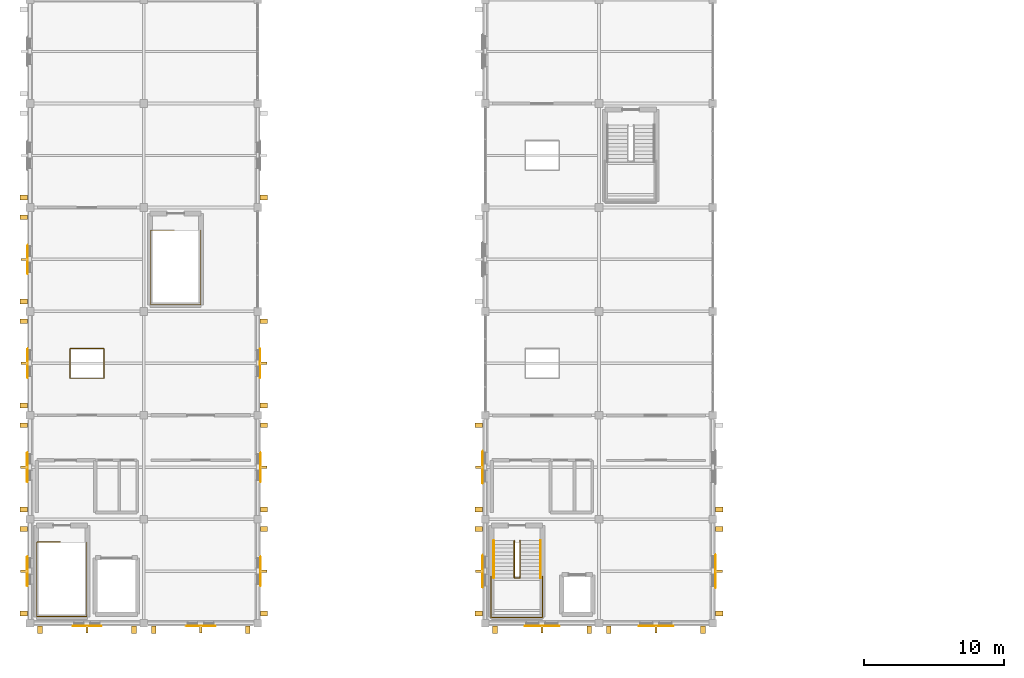
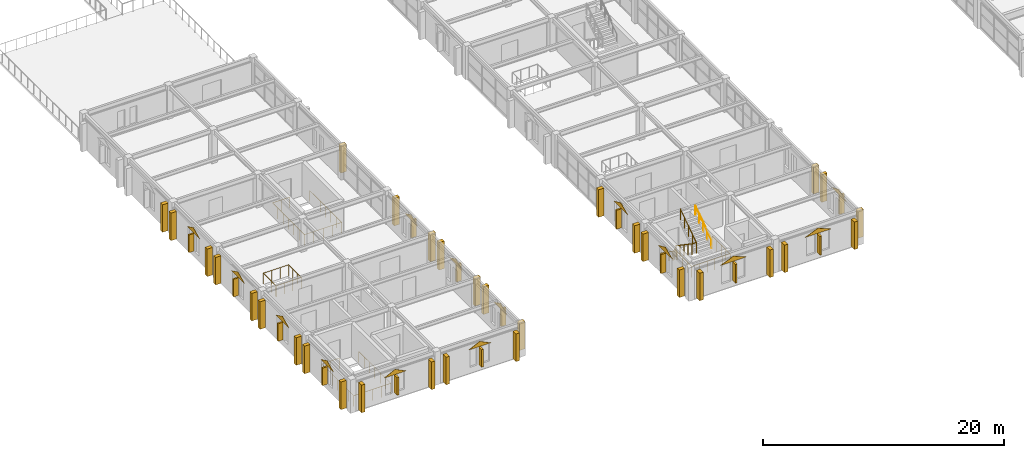
# One storey, part 87 of 93: 45 shading devices, 14 coverings, 7 railings.
"""IFC4 building model written with IfcOpenShell, lengths in metres."""

from ifc_helpers import new_model, si_unit, direction, frame, origin, origin_2d, place, context, subcontext, project, spatial, polyline, rectangle, circle, outline, extrude, material, layer, layer_set, type_object, element, save


model = new_model("IFC4")

# Units and contexts
model_context = context("Model", 3, precision=1e-05, world=origin(), true_north=direction((0.0, 1.0)))
body_context = subcontext(model_context, "Body", "Model", "MODEL_VIEW")
ifc_project = project(units=[si_unit("LENGTHUNIT", "METRE"), si_unit("AREAUNIT", "SQUARE_METRE"), si_unit("VOLUMEUNIT", "CUBIC_METRE"), si_unit("PLANEANGLEUNIT", "RADIAN"), si_unit("MASSUNIT", "GRAM", prefix="KILO")], contexts=[model_context])

# Site, building, storey
site_placement = place(None, origin())
site = spatial("IfcSite", under=ifc_project, at=site_placement, CompositionType="ELEMENT")
building_placement = place(site_placement, origin())
building = spatial("IfcBuilding", under=site, at=building_placement, Name="Cimatlan Art Gallery", CompositionType="ELEMENT")
storey_placement = place(building_placement, frame((0.0, 0.0, 13.800048828125)))
storey = spatial("IfcBuildingStorey", under=building, at=storey_placement, Name="L03", CompositionType="ELEMENT", Elevation=13.800048828125)

# Coverings
ifc_material_1 = material(Name="Queretaro cantera limestone ashlar hood-mould", Category="masonry")
ifc_layer = layer(ifc_material_1, 0.0419921875)
ifc_layer_set = layer_set([ifc_layer], Name="Queretaro cantera limestone ashlar hood-mould")
covering_type = type_object("IfcCoveringType", Name="COV-CLAD-CANTERA-42", PredefinedType="CLADDING", material=ifc_layer_set)
covering_1_placement = place(storey_placement, frame((7.110107421875, 23.721923828125, 2.409912109375), z_axis=(0.0, 1.0, 0.0), x_axis=(-1.0, 0.0, 0.0)))
element("IfcCovering", 1, at=covering_1_placement, inside=storey, type_object=covering_type, Name="CLD-058", PredefinedType="CLADDING", context=body_context, shape_type="SweptSolid", body=[
    extrude(outline(polyline([(0.0, 0.0), (2.1201171875, 0.0), (1.06005859375, 0.52001953125), (0.0, 0.0)])), origin(), (0.0, 0.0, -1.0), 0.0419921875),
])
covering_2_placement = place(storey_placement, frame((1.822021484375, 26.5400390625, 2.409912109375), z_axis=(1.0, 0.0, 0.0), x_axis=(0.0, 1.0, 0.0)))
element("IfcCovering", 2, at=covering_2_placement, inside=storey, type_object=covering_type, Name="CLD-059", PredefinedType="CLADDING", context=body_context, shape_type="SweptSolid", body=[
    extrude(outline(polyline([(0.0, 0.0), (2.119873046875, 0.0), (1.06005859375, 0.52001953125), (0.0, 0.0)])), origin(), (0.0, 0.0, -1.0), 0.0419921875),
])
covering_3_placement = place(storey_placement, frame((1.822021484375, 33.93994140625, 2.409912109375), z_axis=(1.0, 0.0, 0.0), x_axis=(0.0, 1.0, 0.0)))
element("IfcCovering", 3, at=covering_3_placement, inside=storey, type_object=covering_type, Name="CLD-060", PredefinedType="CLADDING", context=body_context, shape_type="SweptSolid", body=[
    extrude(outline(polyline([(0.0, 0.0), (2.1201171875, 0.0), (1.06005859375, 0.52001953125), (0.0, 0.0)])), origin(), (0.0, 0.0, -1.0), 0.0419921875),
])
covering_4_placement = place(storey_placement, frame((1.839599609375, 41.340087890625, 2.409912109375), z_axis=(1.0, 0.0, 0.0), x_axis=(0.0, 1.0, 0.0)))
element("IfcCovering", 4, at=covering_4_placement, inside=storey, type_object=covering_type, Name="CLD-061", PredefinedType="CLADDING", context=body_context, shape_type="SweptSolid", body=[
    extrude(outline(polyline([(0.0, 0.0), (2.119873046875, 0.0), (1.059814453125, 0.52001953125), (0.0, 0.0)])), origin(), (0.0, 0.0, -1.0), 0.0419921875),
])
covering_5_placement = place(storey_placement, frame((1.839599609375, 48.739990234375, 2.409912109375), z_axis=(1.0, 0.0, 0.0), x_axis=(0.0, 1.0, 0.0)))
element("IfcCovering", 5, at=covering_5_placement, inside=storey, type_object=covering_type, Name="CLD-062", PredefinedType="CLADDING", context=body_context, shape_type="SweptSolid", body=[
    extrude(outline(polyline([(0.0, 0.0), (2.1201171875, 0.0), (1.06005859375, 0.52001953125), (0.0, 0.0)])), origin(), (0.0, 0.0, -1.0), 0.0419921875),
])
covering_6_placement = place(storey_placement, frame((15.2099609375, 23.721923828125, 2.409912109375), z_axis=(0.0, 1.0, 0.0), x_axis=(-1.0, 0.0, 0.0)))
element("IfcCovering", 6, at=covering_6_placement, inside=storey, type_object=covering_type, Name="CLD-066", PredefinedType="CLADDING", context=body_context, shape_type="SweptSolid", body=[
    extrude(outline(polyline([(0.0, 0.0), (2.119873046875, 0.0), (1.06005859375, 0.52001953125), (0.0, 0.0)])), origin(), (0.0, 0.0, -1.0), 0.0419921875),
])
covering_7_placement = place(storey_placement, frame((18.3779296875, 28.659912109375, 2.409912109375), z_axis=(-1.0, 0.0, 0.0), x_axis=(0.0, -1.0, 0.0)))
element("IfcCovering", 7, at=covering_7_placement, inside=storey, type_object=covering_type, Name="CLD-067", PredefinedType="CLADDING", context=body_context, shape_type="SweptSolid", body=[
    extrude(outline(polyline([(0.0, 0.0), (2.119873046875, 0.0), (1.059814453125, 0.52001953125), (0.0, 0.0)])), origin(), (0.0, 0.0, -1.0), 0.0419921875),
])
covering_8_placement = place(storey_placement, frame((18.3779296875, 36.06005859375, 2.409912109375), z_axis=(-1.0, 0.0, 0.0), x_axis=(0.0, -1.0, 0.0)))
element("IfcCovering", 8, at=covering_8_placement, inside=storey, type_object=covering_type, Name="CLD-068", PredefinedType="CLADDING", context=body_context, shape_type="SweptSolid", body=[
    extrude(outline(polyline([(0.0, 0.0), (2.1201171875, 0.0), (1.06005859375, 0.52001953125), (0.0, 0.0)])), origin(), (0.0, 0.0, -1.0), 0.0419921875),
])
covering_9_placement = place(storey_placement, frame((18.360595703125, 43.4599609375, 2.409912109375), z_axis=(-1.0, 0.0, 0.0), x_axis=(0.0, -1.0, 0.0)))
element("IfcCovering", 9, at=covering_9_placement, inside=storey, type_object=covering_type, Name="CLD-069", PredefinedType="CLADDING", context=body_context, shape_type="SweptSolid", body=[
    extrude(outline(polyline([(0.0, 0.0), (2.119873046875, 0.0), (1.06005859375, 0.52001953125), (0.0, 0.0)])), origin(), (0.0, 0.0, -1.0), 0.0419921875),
])
covering_10_placement = place(storey_placement, frame((39.7099609375, 23.721923828125, 2.530029296875), z_axis=(0.0, 1.0, 0.0), x_axis=(-1.0, 0.0, 0.0)))
element("IfcCovering", 10, at=covering_10_placement, inside=storey, type_object=covering_type, Name="CLD-071", PredefinedType="CLADDING", context=body_context, shape_type="SweptSolid", body=[
    extrude(outline(polyline([(0.0, 0.0), (2.52001953125, 0.0), (1.260009765625, 0.52001953125), (0.0, 0.0)])), origin(), (0.0, 0.0, -1.0), 0.0419921875),
])
covering_11_placement = place(storey_placement, frame((34.221923828125, 26.419921875, 2.550048828125), z_axis=(1.0, 0.0, 0.0), x_axis=(0.0, 1.0, 0.0)))
element("IfcCovering", 11, at=covering_11_placement, inside=storey, type_object=covering_type, Name="CLD-072", PredefinedType="CLADDING", context=body_context, shape_type="SweptSolid", body=[
    extrude(outline(polyline([(0.0, 0.0), (2.360107421875, 0.0), (1.18017578125, 0.52001953125), (0.0, 0.0)])), origin(), (0.0, 0.0, -1.0), 0.0419921875),
])
covering_12_placement = place(storey_placement, frame((34.221923828125, 33.820068359375, 2.550048828125), z_axis=(1.0, 0.0, 0.0), x_axis=(0.0, 1.0, 0.0)))
element("IfcCovering", 12, at=covering_12_placement, inside=storey, type_object=covering_type, Name="CLD-073", PredefinedType="CLADDING", context=body_context, shape_type="SweptSolid", body=[
    extrude(outline(polyline([(0.0, 0.0), (2.35986328125, 0.0), (1.179931640625, 0.52001953125), (0.0, 0.0)])), origin(), (0.0, 0.0, -1.0), 0.0419921875),
])
covering_13_placement = place(storey_placement, frame((47.81005859375, 23.721923828125, 2.530029296875), z_axis=(0.0, 1.0, 0.0), x_axis=(-1.0, 0.0, 0.0)))
element("IfcCovering", 13, at=covering_13_placement, inside=storey, type_object=covering_type, Name="CLD-078", PredefinedType="CLADDING", context=body_context, shape_type="SweptSolid", body=[
    extrude(outline(polyline([(0.0, 0.0), (2.52001953125, 0.0), (1.260009765625, 0.52001953125), (0.0, 0.0)])), origin(), (0.0, 0.0, -1.0), 0.0419921875),
])
covering_14_placement = place(storey_placement, frame((50.778076171875, 28.820068359375, 2.58984375), z_axis=(-1.0, 0.0, 0.0), x_axis=(0.0, -1.0, 0.0)))
element("IfcCovering", 14, at=covering_14_placement, inside=storey, type_object=covering_type, Name="CLD-079", PredefinedType="CLADDING", context=body_context, shape_type="SweptSolid", body=[
    extrude(outline(polyline([(0.0, 0.0), (2.440185546875, 0.0), (1.219970703125, 0.52001953125), (0.0, 0.0)])), origin(), (0.0, 0.0, -1.0), 0.0419921875),
])

# Railings
ifc_material_2 = material(Name="Painted steel and bronze interior balustrade", Category="steel")
railing_type_1 = type_object("IfcRailingType", Name="RL-BAL-INT-1120", PredefinedType="BALUSTRADE", material=ifc_material_2)
railing_1_placement = place(storey_placement, frame((4.14990234375, 29.679931640625, 0.0)))
element("IfcRailing", 15, at=railing_1_placement, inside=storey, type_object=railing_type_1, Name="GR-WELL-TOP-C1", PredefinedType="BALUSTRADE", context=body_context, shape_type="SweptSolid", body=[
    extrude(circle(Radius=0.02392578125, at=origin_2d()), frame((0.0, 0.0, 1.09619140625), z_axis=(-1.0, 0.0, 0.0), x_axis=(0.0, -1.0, 0.0)), (0.0, 0.0, 1.0), 1.669921875),
    extrude(circle(Radius=0.02392578125, at=origin_2d()), frame((-1.669921875, 0.0, 1.09619140625), z_axis=(0.0, -1.0, 0.0), x_axis=(1.0, 0.0, 0.0)), (0.0, 0.0, 1.0), 5.300048828125),
    extrude(circle(Radius=0.02392578125, at=origin_2d()), frame((-1.669921875, -5.300048828125, 1.09619140625), z_axis=(1.0, 0.0, 0.0), x_axis=(0.0, 1.0, 0.0)), (0.0, 0.0, 1.0), 3.56005859375),
    extrude(circle(Radius=0.02392578125, at=origin_2d()), frame((1.89013671875, -5.300048828125, 1.09619140625), z_axis=(0.0, 1.0, 0.0), x_axis=(-1.0, 0.0, 0.0)), (0.0, 0.0, 1.0), 5.300048828125),
    extrude(circle(Radius=0.02001953125, at=origin_2d()), origin(), (0.0, 0.0, 1.0), 1.072021484375),
    extrude(circle(Radius=0.02001953125, at=origin_2d()), frame((-0.8349609375, 0.0, 0.0)), (0.0, 0.0, 1.0), 1.072021484375),
    extrude(circle(Radius=0.02001953125, at=origin_2d()), frame((-1.669921875, 0.0, 0.0)), (0.0, 0.0, 1.0), 1.072021484375),
    extrude(circle(Radius=0.02001953125, at=origin_2d()), frame((-1.669921875, -0.88330078125, 0.0)), (0.0, 0.0, 1.0), 1.072021484375),
    extrude(circle(Radius=0.02001953125, at=origin_2d()), frame((-1.669921875, -1.7666015625, 0.0)), (0.0, 0.0, 1.0), 1.072021484375),
    extrude(circle(Radius=0.02001953125, at=origin_2d()), frame((-1.669921875, -2.64990234375, 0.0)), (0.0, 0.0, 1.0), 1.072021484375),
    extrude(circle(Radius=0.02001953125, at=origin_2d()), frame((-1.669921875, -3.533447265625, 0.0)), (0.0, 0.0, 1.0), 1.072021484375),
    extrude(circle(Radius=0.02001953125, at=origin_2d()), frame((-1.669921875, -4.416748046875, 0.0)), (0.0, 0.0, 1.0), 1.072021484375),
    extrude(circle(Radius=0.02001953125, at=origin_2d()), frame((-1.669921875, -5.300048828125, 0.0)), (0.0, 0.0, 1.0), 1.072021484375),
    extrude(circle(Radius=0.02001953125, at=origin_2d()), frame((-0.77978515625, -5.300048828125, 0.0)), (0.0, 0.0, 1.0), 1.072021484375),
    extrude(circle(Radius=0.02001953125, at=origin_2d()), frame((0.110107421875, -5.300048828125, 0.0)), (0.0, 0.0, 1.0), 1.072021484375),
    extrude(circle(Radius=0.02001953125, at=origin_2d()), frame((1.0, -5.300048828125, 0.0)), (0.0, 0.0, 1.0), 1.072021484375),
    extrude(circle(Radius=0.02001953125, at=origin_2d()), frame((1.89013671875, -5.300048828125, 0.0)), (0.0, 0.0, 1.0), 1.072021484375),
    extrude(circle(Radius=0.02001953125, at=origin_2d()), frame((1.89013671875, -4.416748046875, 0.0)), (0.0, 0.0, 1.0), 1.072021484375),
    extrude(circle(Radius=0.02001953125, at=origin_2d()), frame((1.89013671875, -3.533447265625, 0.0)), (0.0, 0.0, 1.0), 1.072021484375),
    extrude(circle(Radius=0.02001953125, at=origin_2d()), frame((1.89013671875, -2.64990234375, 0.0)), (0.0, 0.0, 1.0), 1.072021484375),
    extrude(circle(Radius=0.02001953125, at=origin_2d()), frame((1.89013671875, -1.7666015625, 0.0)), (0.0, 0.0, 1.0), 1.072021484375),
    extrude(circle(Radius=0.02001953125, at=origin_2d()), frame((1.89013671875, -0.88330078125, 0.0)), (0.0, 0.0, 1.0), 1.072021484375),
    extrude(circle(Radius=0.02001953125, at=origin_2d()), frame((1.89013671875, 0.0, 0.0)), (0.0, 0.0, 1.0), 1.072021484375),
])
railing_2_placement = place(storey_placement, frame((34.81005859375, 27.239990234375, 1.800048828125)))
element("IfcRailing", 16, at=railing_2_placement, inside=storey, type_object=railing_type_1, Name="STR-C2-L03-LGRD", PredefinedType="BALUSTRADE", context=body_context, shape_type="SweptSolid", body=[
    extrude(circle(Radius=0.02392578125, at=origin_2d()), frame((0.0, 0.0, 1.09619140625), z_axis=(0.0, -1.0, 0.0), x_axis=(1.0, 0.0, 0.0)), (0.0, 0.0, 1.0), 2.929931640625),
    extrude(circle(Radius=0.02392578125, at=origin_2d()), frame((0.0, -2.929931640625, 1.09619140625), z_axis=(1.0, 0.0, 0.0), x_axis=(0.0, 1.0, 0.0)), (0.0, 0.0, 1.0), 3.669921875),
    extrude(circle(Radius=0.02392578125, at=origin_2d()), frame((3.669921875, -2.929931640625, 1.09619140625), z_axis=(0.0, 1.0, 0.0), x_axis=(-1.0, 0.0, 0.0)), (0.0, 0.0, 1.0), 2.929931640625),
    extrude(circle(Radius=0.02001953125, at=origin_2d()), origin(), (0.0, 0.0, 1.0), 1.072021484375),
    extrude(circle(Radius=0.02001953125, at=origin_2d()), frame((0.0, -0.732421875, 0.0)), (0.0, 0.0, 1.0), 1.072021484375),
    extrude(circle(Radius=0.02001953125, at=origin_2d()), frame((0.0, -1.46484375, 0.0)), (0.0, 0.0, 1.0), 1.072021484375),
    extrude(circle(Radius=0.02001953125, at=origin_2d()), frame((0.0, -2.197509765625, 0.0)), (0.0, 0.0, 1.0), 1.072021484375),
    extrude(circle(Radius=0.02001953125, at=origin_2d()), frame((0.0, -2.929931640625, 0.0)), (0.0, 0.0, 1.0), 1.072021484375),
    extrude(circle(Radius=0.02001953125, at=origin_2d()), frame((0.73388671875, -2.929931640625, 0.0)), (0.0, 0.0, 1.0), 1.072021484375),
    extrude(circle(Radius=0.02001953125, at=origin_2d()), frame((1.468017578125, -2.929931640625, 0.0)), (0.0, 0.0, 1.0), 1.072021484375),
    extrude(circle(Radius=0.02001953125, at=origin_2d()), frame((2.201904296875, -2.929931640625, 0.0)), (0.0, 0.0, 1.0), 1.072021484375),
    extrude(circle(Radius=0.02001953125, at=origin_2d()), frame((2.93603515625, -2.929931640625, 0.0)), (0.0, 0.0, 1.0), 1.072021484375),
    extrude(circle(Radius=0.02001953125, at=origin_2d()), frame((3.669921875, -2.929931640625, 0.0)), (0.0, 0.0, 1.0), 1.072021484375),
    extrude(circle(Radius=0.02001953125, at=origin_2d()), frame((3.669921875, -2.197509765625, 0.0)), (0.0, 0.0, 1.0), 1.072021484375),
    extrude(circle(Radius=0.02001953125, at=origin_2d()), frame((3.669921875, -1.46484375, 0.0)), (0.0, 0.0, 1.0), 1.072021484375),
    extrude(circle(Radius=0.02001953125, at=origin_2d()), frame((3.669921875, -0.732421875, 0.0)), (0.0, 0.0, 1.0), 1.072021484375),
    extrude(circle(Radius=0.02001953125, at=origin_2d()), frame((3.669921875, 0.0, 0.0)), (0.0, 0.0, 1.0), 1.072021484375),
])
railing_3_placement = place(storey_placement, frame((36.469970703125, 29.780029296875, 0.0)))
element("IfcRailing", 17, at=railing_3_placement, inside=storey, type_object=railing_type_1, Name="STR-C2-L03-GRD", PredefinedType="BALUSTRADE", context=body_context, shape_type="SweptSolid", body=[
    extrude(circle(Radius=0.02392578125, at=origin_2d()), frame((0.0, 0.0, 1.09619140625), z_axis=(0.0, -0.827224042694, 0.561872212509), x_axis=(1.0, 0.0, 0.0)), (0.0, 0.0, 1.0), 3.20361328125),
    extrude(circle(Radius=0.02392578125, at=origin_2d()), frame((0.0, -2.650146484375, 2.89599609375), z_axis=(1.0, 0.0, 0.0), x_axis=(0.0, 1.0, 0.0)), (0.0, 0.0, 1.0), 0.400146484375),
    extrude(circle(Radius=0.02392578125, at=origin_2d()), frame((0.400146484375, -2.650146484375, 2.89599609375), z_axis=(0.0, 0.827259463012, 0.561820060924), x_axis=(-1.0, 0.0, 0.0)), (0.0, 0.0, 1.0), 3.20361328125),
    extrude(circle(Radius=0.02001953125, at=origin_2d()), origin(), (0.0, 0.0, 1.0), 1.072021484375),
    extrude(circle(Radius=0.02001953125, at=origin_2d()), frame((0.0, -0.66259765625, 0.449951171875)), (0.0, 0.0, 1.0), 1.072021484375),
    extrude(circle(Radius=0.02001953125, at=origin_2d()), frame((0.0, -1.3251953125, 0.89990234375)), (0.0, 0.0, 1.0), 1.072021484375),
    extrude(circle(Radius=0.02001953125, at=origin_2d()), frame((0.0, -1.987548828125, 1.35009765625)), (0.0, 0.0, 1.0), 1.072021484375),
    extrude(circle(Radius=0.02001953125, at=origin_2d()), frame((0.0, -2.650146484375, 1.800048828125)), (0.0, 0.0, 1.0), 1.072021484375),
    extrude(circle(Radius=0.02001953125, at=origin_2d()), frame((0.400146484375, -2.650146484375, 1.800048828125)), (0.0, 0.0, 1.0), 1.072021484375),
    extrude(circle(Radius=0.02001953125, at=origin_2d()), frame((0.400146484375, -1.987548828125, 2.25)), (0.0, 0.0, 1.0), 1.072021484375),
    extrude(circle(Radius=0.02001953125, at=origin_2d()), frame((0.400146484375, -1.3251953125, 2.699951171875)), (0.0, 0.0, 1.0), 1.072021484375),
    extrude(circle(Radius=0.02001953125, at=origin_2d()), frame((0.400146484375, -0.66259765625, 3.14990234375)), (0.0, 0.0, 1.0), 1.072021484375),
    extrude(circle(Radius=0.02001953125, at=origin_2d()), frame((0.400146484375, 0.0, 3.599853515625)), (0.0, 0.0, 1.0), 1.072021484375),
])
railing_4_placement = place(storey_placement, frame((12.25, 51.8798828125, 0.0)))
element("IfcRailing", 18, at=railing_4_placement, inside=storey, type_object=railing_type_1, Name="GR-WELL-TOP-C7", PredefinedType="BALUSTRADE", context=body_context, shape_type="SweptSolid", body=[
    extrude(circle(Radius=0.02392578125, at=origin_2d()), frame((0.0, 0.0, 1.09619140625), z_axis=(-1.0, 0.0, 0.0), x_axis=(0.0, -1.0, 0.0)), (0.0, 0.0, 1.0), 1.669921875),
    extrude(circle(Radius=0.02392578125, at=origin_2d()), frame((-1.669921875, 0.0, 1.09619140625), z_axis=(0.0, -1.0, 0.0), x_axis=(1.0, 0.0, 0.0)), (0.0, 0.0, 1.0), 5.2998046875),
    extrude(circle(Radius=0.02392578125, at=origin_2d()), frame((-1.669921875, -5.2998046875, 1.09619140625), z_axis=(1.0, 0.0, 0.0), x_axis=(0.0, 1.0, 0.0)), (0.0, 0.0, 1.0), 3.559814453125),
    extrude(circle(Radius=0.02392578125, at=origin_2d()), frame((1.889892578125, -5.2998046875, 1.09619140625), z_axis=(0.0, 1.0, 0.0), x_axis=(-1.0, 0.0, 0.0)), (0.0, 0.0, 1.0), 5.2998046875),
    extrude(circle(Radius=0.02001953125, at=origin_2d()), origin(), (0.0, 0.0, 1.0), 1.072021484375),
    extrude(circle(Radius=0.02001953125, at=origin_2d()), frame((-0.8349609375, 0.0, 0.0)), (0.0, 0.0, 1.0), 1.072021484375),
    extrude(circle(Radius=0.02001953125, at=origin_2d()), frame((-1.669921875, 0.0, 0.0)), (0.0, 0.0, 1.0), 1.072021484375),
    extrude(circle(Radius=0.02001953125, at=origin_2d()), frame((-1.669921875, -0.88330078125, 0.0)), (0.0, 0.0, 1.0), 1.072021484375),
    extrude(circle(Radius=0.02001953125, at=origin_2d()), frame((-1.669921875, -1.7666015625, 0.0)), (0.0, 0.0, 1.0), 1.072021484375),
    extrude(circle(Radius=0.02001953125, at=origin_2d()), frame((-1.669921875, -2.64990234375, 0.0)), (0.0, 0.0, 1.0), 1.072021484375),
    extrude(circle(Radius=0.02001953125, at=origin_2d()), frame((-1.669921875, -3.533203125, 0.0)), (0.0, 0.0, 1.0), 1.072021484375),
    extrude(circle(Radius=0.02001953125, at=origin_2d()), frame((-1.669921875, -4.41650390625, 0.0)), (0.0, 0.0, 1.0), 1.072021484375),
    extrude(circle(Radius=0.02001953125, at=origin_2d()), frame((-1.669921875, -5.2998046875, 0.0)), (0.0, 0.0, 1.0), 1.072021484375),
    extrude(circle(Radius=0.02001953125, at=origin_2d()), frame((-0.780029296875, -5.2998046875, 0.0)), (0.0, 0.0, 1.0), 1.072021484375),
    extrude(circle(Radius=0.02001953125, at=origin_2d()), frame((0.10986328125, -5.2998046875, 0.0)), (0.0, 0.0, 1.0), 1.072021484375),
    extrude(circle(Radius=0.02001953125, at=origin_2d()), frame((1.0, -5.2998046875, 0.0)), (0.0, 0.0, 1.0), 1.072021484375),
    extrude(circle(Radius=0.02001953125, at=origin_2d()), frame((1.889892578125, -5.2998046875, 0.0)), (0.0, 0.0, 1.0), 1.072021484375),
    extrude(circle(Radius=0.02001953125, at=origin_2d()), frame((1.889892578125, -4.41650390625, 0.0)), (0.0, 0.0, 1.0), 1.072021484375),
    extrude(circle(Radius=0.02001953125, at=origin_2d()), frame((1.889892578125, -3.533203125, 0.0)), (0.0, 0.0, 1.0), 1.072021484375),
    extrude(circle(Radius=0.02001953125, at=origin_2d()), frame((1.889892578125, -2.64990234375, 0.0)), (0.0, 0.0, 1.0), 1.072021484375),
    extrude(circle(Radius=0.02001953125, at=origin_2d()), frame((1.889892578125, -1.7666015625, 0.0)), (0.0, 0.0, 1.0), 1.072021484375),
    extrude(circle(Radius=0.02001953125, at=origin_2d()), frame((1.889892578125, -0.88330078125, 0.0)), (0.0, 0.0, 1.0), 1.072021484375),
    extrude(circle(Radius=0.02001953125, at=origin_2d()), frame((1.889892578125, 0.0, 0.0)), (0.0, 0.0, 1.0), 1.072021484375),
])
railing_5_placement = place(storey_placement, frame((4.840087890625, 41.340087890625, 0.0)))
element("IfcRailing", 19, at=railing_5_placement, inside=storey, type_object=railing_type_1, Name="GR-OCU-L03-B1S", PredefinedType="BALUSTRADE", context=body_context, shape_type="SweptSolid", body=[
    extrude(circle(Radius=0.02392578125, at=origin_2d()), frame((0.0, 0.0, 1.09619140625), z_axis=(1.0, 0.0, 0.0), x_axis=(0.0, 1.0, 0.0)), (0.0, 0.0, 1.0), 2.419921875),
    extrude(circle(Radius=0.02392578125, at=origin_2d()), frame((2.419921875, 0.0, 1.09619140625), z_axis=(0.0, 1.0, 0.0), x_axis=(-1.0, 0.0, 0.0)), (0.0, 0.0, 1.0), 2.119873046875),
    extrude(circle(Radius=0.02392578125, at=origin_2d()), frame((2.419921875, 2.119873046875, 1.09619140625), z_axis=(-1.0, 0.0, 0.0), x_axis=(0.0, -1.0, 0.0)), (0.0, 0.0, 1.0), 2.419921875),
    extrude(circle(Radius=0.02392578125, at=origin_2d()), frame((0.0, 2.119873046875, 1.09619140625), z_axis=(0.0, -1.0, 0.0), x_axis=(1.0, 0.0, 0.0)), (0.0, 0.0, 1.0), 2.080078125),
    extrude(circle(Radius=0.02001953125, at=origin_2d()), origin(), (0.0, 0.0, 1.0), 1.072021484375),
    extrude(circle(Radius=0.02001953125, at=origin_2d()), frame((0.806640625, 0.0, 0.0)), (0.0, 0.0, 1.0), 1.072021484375),
    extrude(circle(Radius=0.02001953125, at=origin_2d()), frame((1.61328125, 0.0, 0.0)), (0.0, 0.0, 1.0), 1.072021484375),
    extrude(circle(Radius=0.02001953125, at=origin_2d()), frame((2.419921875, 0.0, 0.0)), (0.0, 0.0, 1.0), 1.072021484375),
    extrude(circle(Radius=0.02001953125, at=origin_2d()), frame((2.419921875, 0.70654296875, 0.0)), (0.0, 0.0, 1.0), 1.072021484375),
    extrude(circle(Radius=0.02001953125, at=origin_2d()), frame((2.419921875, 1.413330078125, 0.0)), (0.0, 0.0, 1.0), 1.072021484375),
    extrude(circle(Radius=0.02001953125, at=origin_2d()), frame((2.419921875, 2.119873046875, 0.0)), (0.0, 0.0, 1.0), 1.072021484375),
    extrude(circle(Radius=0.02001953125, at=origin_2d()), frame((1.61328125, 2.119873046875, 0.0)), (0.0, 0.0, 1.0), 1.072021484375),
    extrude(circle(Radius=0.02001953125, at=origin_2d()), frame((0.806640625, 2.119873046875, 0.0)), (0.0, 0.0, 1.0), 1.072021484375),
    extrude(circle(Radius=0.02001953125, at=origin_2d()), frame((0.0, 2.119873046875, 0.0)), (0.0, 0.0, 1.0), 1.072021484375),
    extrude(circle(Radius=0.02001953125, at=origin_2d()), frame((0.0, 1.426513671875, 0.0)), (0.0, 0.0, 1.0), 1.072021484375),
    extrude(circle(Radius=0.02001953125, at=origin_2d()), frame((0.0, 0.733154296875, 0.0)), (0.0, 0.0, 1.0), 1.072021484375),
    extrude(circle(Radius=0.02001953125, at=origin_2d()), frame((0.0, 0.039794921875, 0.0)), (0.0, 0.0, 1.0), 1.072021484375),
])
ifc_material_3 = material(Name="Brushed bronze stair handrail")
railing_type_2 = type_object("IfcRailingType", Name="RL-HND-INT-920", PredefinedType="HANDRAIL", material=ifc_material_3)
railing_6_placement = place(storey_placement, frame((35.010009765625, 29.780029296875, 0.0)))
element("IfcRailing", 20, at=railing_6_placement, inside=storey, type_object=railing_type_2, Name="STR-C2-L03-HR1", PredefinedType="HANDRAIL", context=body_context, shape_type="SweptSolid", body=[
    extrude(circle(Radius=0.02197265625, at=origin_2d()), frame((0.0, 0.0, 0.89794921875), z_axis=(0.0, -0.827224042694, 0.561872212509), x_axis=(1.0, 0.0, 0.0)), (0.0, 0.0, 1.0), 3.20361328125),
    extrude(circle(Radius=0.01904296875, at=origin_2d()), origin(), (0.0, 0.0, 1.0), 0.8759765625),
    extrude(circle(Radius=0.01904296875, at=origin_2d()), frame((0.0, -0.66259765625, 0.449951171875)), (0.0, 0.0, 1.0), 0.8759765625),
    extrude(circle(Radius=0.01904296875, at=origin_2d()), frame((0.0, -1.3251953125, 0.89990234375)), (0.0, 0.0, 1.0), 0.8759765625),
    extrude(circle(Radius=0.01904296875, at=origin_2d()), frame((0.0, -1.987548828125, 1.35009765625)), (0.0, 0.0, 1.0), 0.8759765625),
    extrude(circle(Radius=0.01904296875, at=origin_2d()), frame((0.0, -2.650146484375, 1.800048828125)), (0.0, 0.0, 1.0), 0.8759765625),
])
railing_7_placement = place(storey_placement, frame((38.330078125, 27.1298828125, 1.800048828125)))
element("IfcRailing", 21, at=railing_7_placement, inside=storey, type_object=railing_type_2, Name="STR-C2-L03-HR2", PredefinedType="HANDRAIL", context=body_context, shape_type="SweptSolid", body=[
    extrude(circle(Radius=0.02197265625, at=origin_2d()), frame((0.0, 0.0, 0.89794921875), z_axis=(0.0, 0.827259463012, 0.561820060924), x_axis=(-1.0, 0.0, 0.0)), (0.0, 0.0, 1.0), 3.20361328125),
    extrude(circle(Radius=0.01904296875, at=origin_2d()), origin(), (0.0, 0.0, 1.0), 0.8759765625),
    extrude(circle(Radius=0.01904296875, at=origin_2d()), frame((0.0, 0.66259765625, 0.449951171875)), (0.0, 0.0, 1.0), 0.8759765625),
    extrude(circle(Radius=0.01904296875, at=origin_2d()), frame((0.0, 1.3251953125, 0.89990234375)), (0.0, 0.0, 1.0), 0.8759765625),
    extrude(circle(Radius=0.01904296875, at=origin_2d()), frame((0.0, 1.987548828125, 1.349853515625)), (0.0, 0.0, 1.0), 0.8759765625),
    extrude(circle(Radius=0.01904296875, at=origin_2d()), frame((0.0, 2.650146484375, 1.7998046875)), (0.0, 0.0, 1.0), 0.8759765625),
])

# Shading devices
ifc_material_4 = material(Name="Queretaro cantera limestone buttress pilaster", Category="masonry")
shading_device_type_1 = type_object("IfcShadingDeviceType", Name="SHD-BUT-520", PredefinedType="USERDEFINED", material=ifc_material_4)
for number, where, z_axis, x_axis, name in (
    (22, (9.40087890625, 23.44189453125, 0.059814453125), (0.0, 0.0, 1.0), (-1.0, 0.0, 0.0), "BUT-0337"),
    (23, (2.698974609375, 23.44189453125, 0.059814453125), (0.0, 0.0, 1.0), (-1.0, 0.0, 0.0), "BUT-0338"),
    (24, (1.5419921875, 24.59912109375, 0.059814453125), (0.0, 0.0, 1.0), (0.0, 1.0, 0.0), "BUT-0339"),
    (25, (1.5419921875, 30.60107421875, 0.059814453125), (0.0, 0.0, 1.0), (0.0, 1.0, 0.0), "BUT-0340"),
    (26, (1.5419921875, 31.9990234375, 0.059814453125), (0.0, 0.0, 1.0), (0.0, 1.0, 0.0), "BUT-0341"),
    (27, (1.5419921875, 38.0009765625, 0.059814453125), (0.0, 0.0, 1.0), (0.0, 1.0, 0.0), "BUT-0342"),
    (28, (1.5595703125, 39.39892578125, 0.059814453125), (0.0, 0.0, 1.0), (0.0, 1.0, 0.0), "BUT-0343"),
    (29, (1.5595703125, 45.40087890625, 0.059814453125), (0.0, 0.0, 1.0), (0.0, 1.0, 0.0), "BUT-0344"),
    (30, (1.5595703125, 46.799072265625, 0.059814453125), (0.0, 0.0, 1.0), (0.0, 1.0, 0.0), "BUT-0345"),
    (31, (1.5595703125, 52.801025390625, 0.059814453125), (0.0, 0.0, 1.0), (0.0, 1.0, 0.0), "BUT-0346"),
    (32, (1.5595703125, 54.198974609375, 0.059814453125), (0.0, 0.0, 1.0), (0.0, 1.0, 0.0), "BUT-0347"),
    (33, (17.5009765625, 23.44189453125, 0.059814453125), (0.0, 0.0, 1.0), (-1.0, 0.0, 0.0), "BUT-0353"),
    (34, (10.799072265625, 23.44189453125, 0.059814453125), (0.0, 0.0, 1.0), (-1.0, 0.0, 0.0), "BUT-0354"),
    (35, (18.657958984375, 30.60107421875, 0.059814453125), (0.0, 0.0, 1.0), (0.0, -1.0, 0.0), "BUT-0355"),
    (36, (18.657958984375, 24.59912109375, 0.059814453125), (0.0, 0.0, 1.0), (0.0, -1.0, 0.0), "BUT-0356"),
    (37, (18.657958984375, 38.0009765625, 0.059814453125), (0.0, 0.0, 1.0), (0.0, -1.0, 0.0), "BUT-0357"),
    (38, (18.657958984375, 31.9990234375, 0.059814453125), (0.0, 0.0, 1.0), (0.0, -1.0, 0.0), "BUT-0358"),
    (39, (18.640380859375, 45.40087890625, 0.059814453125), (0.0, 0.0, 1.0), (0.0, -1.0, 0.0), "BUT-0359"),
    (40, (18.640380859375, 39.39892578125, 0.059814453125), (0.0, 0.0, 1.0), (0.0, -1.0, 0.0), "BUT-0360"),
    (41, (18.640380859375, 54.198974609375, 0.059814453125), (0.0, 0.0, 1.0), (0.0, -1.0, 0.0), "BUT-0362"),
    (42, (41.801025390625, 23.44189453125, 0.059814453125), (0.0, 0.0, 1.0), (-1.0, 0.0, 0.0), "BUT-0365"),
    (43, (35.09912109375, 23.44189453125, 0.059814453125), (0.0, 0.0, 1.0), (-1.0, 0.0, 0.0), "BUT-0366"),
    (44, (33.94189453125, 24.59912109375, 0.059814453125), (0.0, 0.0, 1.0), (0.0, 1.0, 0.0), "BUT-0367"),
    (45, (33.94189453125, 30.60107421875, 0.059814453125), (0.0, 0.0, 1.0), (0.0, 1.0, 0.0), "BUT-0368"),
    (46, (33.94189453125, 31.9990234375, 0.059814453125), (0.0, 0.0, 1.0), (0.0, 1.0, 0.0), "BUT-0369"),
    (47, (33.94189453125, 38.0009765625, 0.059814453125), (0.0, 0.0, 1.0), (0.0, 1.0, 0.0), "BUT-0370"),
    (48, (49.90087890625, 23.44189453125, 0.059814453125), (0.0, 0.0, 1.0), (-1.0, 0.0, 0.0), "BUT-0379"),
    (49, (43.198974609375, 23.44189453125, 0.059814453125), (0.0, 0.0, 1.0), (-1.0, 0.0, 0.0), "BUT-0380"),
    (50, (51.05810546875, 30.60107421875, 0.059814453125), (0.0, 0.0, 1.0), (0.0, -1.0, 0.0), "BUT-0381"),
    (51, (51.05810546875, 24.59912109375, 0.059814453125), (0.0, 0.0, 1.0), (0.0, -1.0, 0.0), "BUT-0382"),
    (52, (51.05810546875, 31.9990234375, 0.059814453125), (0.0, 0.0, 1.0), (0.0, -1.0, 0.0), "BUT-0384"),
):
    element("IfcShadingDevice", number, at=place(storey_placement, frame(where, z_axis=z_axis, x_axis=x_axis)), inside=storey, type_object=shading_device_type_1, Name=name, ObjectType="FIN", PredefinedType="USERDEFINED", context=body_context, shape_type="SweptSolid", body=[
        extrude(rectangle(XDim=0.340087890625, YDim=0.52001953125, at=origin_2d()), origin(), (0.0, 0.0, 1.0), 2.7880859375),
    ])
ifc_material_5 = material(Name="Queretaro cantera limestone lancet mullion fin", Category="masonry")
shading_device_type_2 = type_object("IfcShadingDeviceType", Name="SHD-FIN-480", PredefinedType="USERDEFINED", material=ifc_material_5)
for number, where, z_axis, x_axis, name in (
    (53, (6.050048828125, 23.4619140625, 0.60009765625), (0.0, 0.0, 1.0), (-1.0, 0.0, 0.0), "FIN-101"),
    (54, (1.56201171875, 27.60009765625, 0.60009765625), (0.0, 0.0, 1.0), (0.0, 1.0, 0.0), "FIN-102"),
    (55, (1.56201171875, 35.0, 0.60009765625), (0.0, 0.0, 1.0), (0.0, 1.0, 0.0), "FIN-103"),
    (56, (1.57958984375, 42.39990234375, 0.60009765625), (0.0, 0.0, 1.0), (0.0, 1.0, 0.0), "FIN-104"),
    (57, (1.57958984375, 49.800048828125, 0.60009765625), (0.0, 0.0, 1.0), (0.0, 1.0, 0.0), "FIN-105"),
    (58, (14.14990234375, 23.4619140625, 0.60009765625), (0.0, 0.0, 1.0), (-1.0, 0.0, 0.0), "FIN-109"),
    (59, (18.637939453125, 27.60009765625, 0.60009765625), (0.0, 0.0, 1.0), (0.0, -1.0, 0.0), "FIN-110"),
    (60, (18.637939453125, 35.0, 0.60009765625), (0.0, 0.0, 1.0), (0.0, -1.0, 0.0), "FIN-111"),
    (61, (18.62060546875, 42.39990234375, 0.60009765625), (0.0, 0.0, 1.0), (0.0, -1.0, 0.0), "FIN-112"),
):
    element("IfcShadingDevice", number, at=place(storey_placement, frame(where, z_axis=z_axis, x_axis=x_axis)), inside=storey, type_object=shading_device_type_2, Name=name, ObjectType="FIN", PredefinedType="USERDEFINED", context=body_context, shape_type="SweptSolid", body=[
        extrude(rectangle(XDim=0.159912109375, YDim=0.47998046875, at=origin_2d()), origin(), (0.0, 0.0, 1.0), 1.780029296875),
    ])
shading_device_1_placement = place(storey_placement, frame((38.449951171875, 23.4619140625, 0.60009765625), z_axis=(0.0, 0.0, 1.0), x_axis=(-1.0, 0.0, 0.0)))
element("IfcShadingDevice", 62, at=shading_device_1_placement, inside=storey, type_object=shading_device_type_2, Name="FIN-114", ObjectType="FIN", PredefinedType="USERDEFINED", context=body_context, shape_type="SweptSolid", body=[
    extrude(rectangle(XDim=0.159912109375, YDim=0.47998046875, at=origin_2d()), origin(), (0.0, 0.0, 1.0), 1.89990234375),
])
for number, where, z_axis, x_axis, name in (
    (63, (33.9619140625, 27.60009765625, 0.60009765625), (0.0, 0.0, 1.0), (0.0, 1.0, 0.0), "FIN-115"),
    (64, (33.9619140625, 35.0, 0.60009765625), (0.0, 0.0, 1.0), (0.0, 1.0, 0.0), "FIN-116"),
):
    element("IfcShadingDevice", number, at=place(storey_placement, frame(where, z_axis=z_axis, x_axis=x_axis)), inside=storey, type_object=shading_device_type_2, Name=name, ObjectType="FIN", PredefinedType="USERDEFINED", context=body_context, shape_type="SweptSolid", body=[
        extrude(rectangle(XDim=0.159912109375, YDim=0.47998046875, at=origin_2d()), origin(), (0.0, 0.0, 1.0), 1.919921875),
    ])
shading_device_2_placement = place(storey_placement, frame((46.550048828125, 23.4619140625, 0.60009765625), z_axis=(0.0, 0.0, 1.0), x_axis=(-1.0, 0.0, 0.0)))
element("IfcShadingDevice", 65, at=shading_device_2_placement, inside=storey, type_object=shading_device_type_2, Name="FIN-121", ObjectType="FIN", PredefinedType="USERDEFINED", context=body_context, shape_type="SweptSolid", body=[
    extrude(rectangle(XDim=0.159912109375, YDim=0.47998046875, at=origin_2d()), origin(), (0.0, 0.0, 1.0), 1.89990234375),
])
shading_device_3_placement = place(storey_placement, frame((51.0380859375, 27.60009765625, 0.599853515625), z_axis=(0.0, 0.0, 1.0), x_axis=(0.0, -1.0, 0.0)))
element("IfcShadingDevice", 66, at=shading_device_3_placement, inside=storey, type_object=shading_device_type_2, Name="FIN-122", ObjectType="FIN", PredefinedType="USERDEFINED", context=body_context, shape_type="SweptSolid", body=[
    extrude(rectangle(XDim=0.159912109375, YDim=0.47998046875, at=origin_2d()), origin(), (0.0, 0.0, 1.0), 1.9599609375),
])

save(model, "model.ifc")
